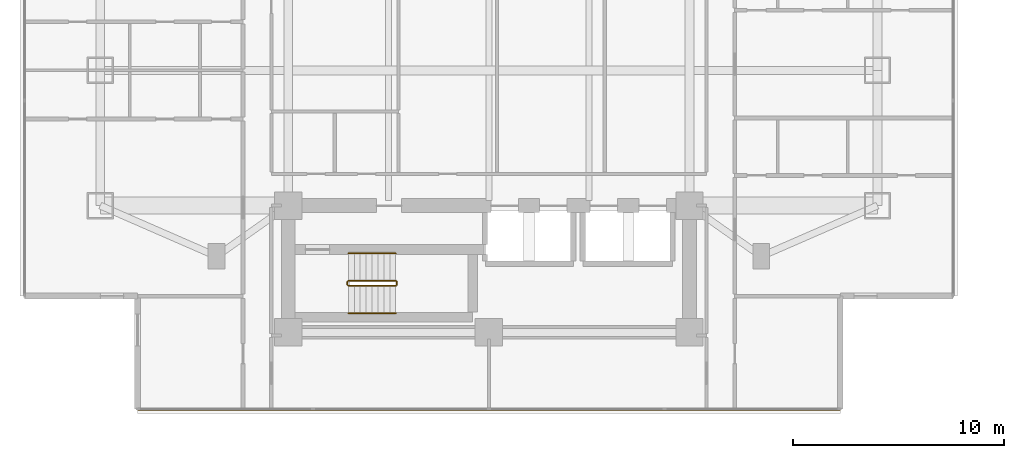
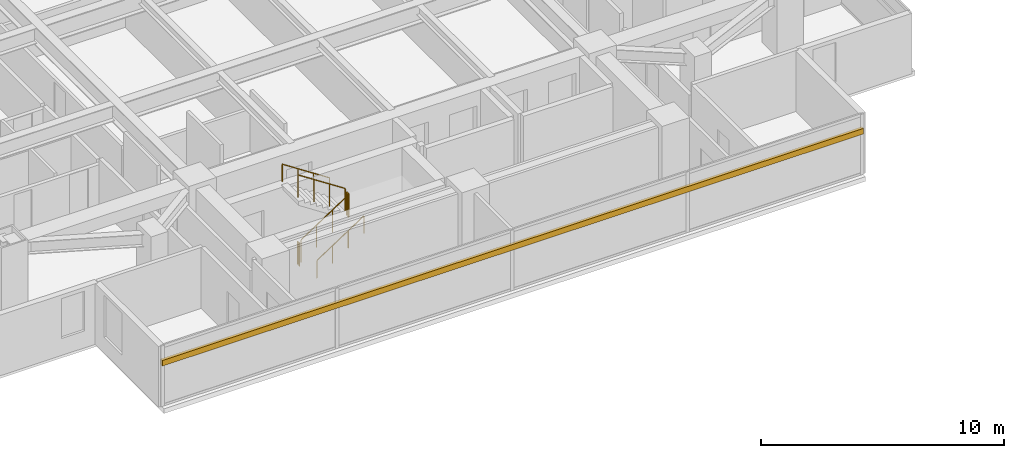
# One storey, part 20 of 24: 6 railings, 1 shading device.
"""IFC4 building model written with IfcOpenShell, lengths in metres."""

from ifc_helpers import new_model, si_unit, direction, frame, origin, origin_2d, place, context, subcontext, project, spatial, rectangle, circle, extrude, material, material_profile, profile_set, type_object, element, save


model = new_model("IFC4")

# Units and contexts
model_context = context("Model", 3, precision=1e-05, world=origin(), true_north=direction((0.0, 1.0)))
body_context = subcontext(model_context, "Body", "Model", "MODEL_VIEW")
ifc_project = project(units=[si_unit("LENGTHUNIT", "METRE"), si_unit("AREAUNIT", "SQUARE_METRE"), si_unit("VOLUMEUNIT", "CUBIC_METRE"), si_unit("PLANEANGLEUNIT", "RADIAN"), si_unit("MASSUNIT", "GRAM", prefix="KILO")], contexts=[model_context])

# Site, building, storey
site_placement = place(None, origin())
site = spatial("IfcSite", under=ifc_project, at=site_placement, CompositionType="ELEMENT")
building_placement = place(site_placement, origin())
building = spatial("IfcBuilding", under=site, at=building_placement, Name="Mirazonda Arch Towers", CompositionType="ELEMENT")
storey_placement = place(building_placement, frame((0.0, 0.0, 68.60009765625)))
storey = spatial("IfcBuildingStorey", under=building, at=storey_placement, Name="L19", CompositionType="ELEMENT", Elevation=68.60009765625)

# Shading device
ifc_material_1 = material(Name="Kiln-Fired Architectural Terracotta", Category="masonry")
ifc_material_profile = material_profile(ifc_material_1, rectangle(XDim=0.139892578125, YDim=0.280029296875, at=origin_2d()), Name="TERRA-BAG-140x280")
ifc_profile_set = profile_set([ifc_material_profile], Name="Kiln-Fired Architectural Terracotta")
shading_device_type = type_object("IfcShadingDeviceType", Name="BAGUETTE-3", PredefinedType="USERDEFINED", material=ifc_profile_set)
shading_device_placement = place(storey_placement, frame((37.139892578125, 8.77001953125, 2.188720703125), z_axis=(-1.0, 0.0, 0.0), x_axis=(0.0, -1.0, 0.0)))
element("IfcShadingDevice", 1, at=shading_device_placement, inside=storey, type_object=shading_device_type, Name="L19 Glazed Terracotta Sun-Screen Baguette CW-L19-T1-S", ObjectType="BAGUETTE", PredefinedType="USERDEFINED", context=body_context, shape_type="SweptSolid", body=[
    extrude(rectangle(XDim=0.139892578125, YDim=0.280029296875, at=origin_2d()), origin(), (0.0, 0.0, 1.0), 33.27978515625),
])

# Railings
ifc_material_2 = material(Name="Architectural Brushed Steel S355", Category="steel")
railing_type_1 = type_object("IfcRailingType", Name="GUARD-STAIR-1120", PredefinedType="GUARDRAIL", material=ifc_material_2)
railing_1_placement = place(storey_placement, frame((13.85009765625, 14.60009765625, 0.183349609375)))
element("IfcRailing", 2, at=railing_1_placement, inside=storey, type_object=railing_type_1, Name="L19 ST-T1S stair guard 1", PredefinedType="GUARDRAIL", context=body_context, shape_type="SweptSolid", body=[
    extrude(circle(Radius=0.02392578125, at=origin_2d()), frame((0.0, 0.0, 1.1259765625), z_axis=(0.836636935527, 0.0, 0.547757827979), x_axis=(0.0, 1.0, 0.0)), (0.0, 0.0, 1.0), 2.677490234375),
    extrude(circle(Radius=0.02099609375, at=origin_2d()), origin(), (0.0, 0.0, 1.0), 1.101806640625),
    extrude(circle(Radius=0.02099609375, at=origin_2d()), frame((0.74658203125, 0.0, 0.48876953125)), (0.0, 0.0, 1.0), 1.101806640625),
    extrude(circle(Radius=0.02099609375, at=origin_2d()), frame((1.493408203125, 0.0, 0.977783203125)), (0.0, 0.0, 1.0), 1.101806640625),
    extrude(circle(Radius=0.02099609375, at=origin_2d()), frame((2.239990234375, 0.0, 1.466552734375)), (0.0, 0.0, 1.0), 1.101806640625),
])
railing_2_placement = place(storey_placement, frame((16.139892578125, 14.64990234375, 1.64990234375)))
element("IfcRailing", 3, at=railing_2_placement, inside=storey, type_object=railing_type_1, Name="L19 ST-T1S stair guard 2", PredefinedType="GUARDRAIL", context=body_context, shape_type="SweptSolid", body=[
    extrude(circle(Radius=0.02392578125, at=origin_2d()), frame((0.0, 0.0, 1.1259765625), z_axis=(0.0, 1.0, 0.0), x_axis=(-1.0, 0.0, 0.0)), (0.0, 0.0, 1.0), 0.14013671875),
    extrude(circle(Radius=0.02099609375, at=origin_2d()), origin(), (0.0, 0.0, 1.0), 1.101806640625),
    extrude(circle(Radius=0.02099609375, at=origin_2d()), frame((0.0, 0.14013671875, 0.0)), (0.0, 0.0, 1.0), 1.101806640625),
])
railing_3_placement = place(storey_placement, frame((16.090087890625, 14.840087890625, 1.833251953125)))
element("IfcRailing", 4, at=railing_3_placement, inside=storey, type_object=railing_type_1, Name="L19 ST-T1S stair guard 3", PredefinedType="GUARDRAIL", context=body_context, shape_type="SweptSolid", body=[
    extrude(circle(Radius=0.02392578125, at=origin_2d()), frame((0.0, 0.0, 1.1259765625), z_axis=(-0.836636935527, 0.0, 0.547757827979), x_axis=(0.0, -1.0, 0.0)), (0.0, 0.0, 1.0), 2.677490234375),
    extrude(circle(Radius=0.02099609375, at=origin_2d()), origin(), (0.0, 0.0, 1.0), 1.101806640625),
    extrude(circle(Radius=0.02099609375, at=origin_2d()), frame((-0.74658203125, 0.0, 0.48876953125)), (0.0, 0.0, 1.0), 1.101806640625),
    extrude(circle(Radius=0.02099609375, at=origin_2d()), frame((-1.493408203125, 0.0, 0.977783203125)), (0.0, 0.0, 1.0), 1.101806640625),
    extrude(circle(Radius=0.02099609375, at=origin_2d()), frame((-2.239990234375, 0.0, 1.466552734375)), (0.0, 0.0, 1.0), 1.101806640625),
])
railing_4_placement = place(storey_placement, frame((13.800048828125, 14.64990234375, 0.0)))
element("IfcRailing", 5, at=railing_4_placement, inside=storey, type_object=railing_type_1, Name="L19 ST-T1S stair guard 4", PredefinedType="GUARDRAIL", context=body_context, shape_type="SweptSolid", body=[
    extrude(circle(Radius=0.02392578125, at=origin_2d()), frame((0.0, 0.0, 1.1259765625), z_axis=(0.0, 1.0, 0.0), x_axis=(-1.0, 0.0, 0.0)), (0.0, 0.0, 1.0), 0.14013671875),
    extrude(circle(Radius=0.02099609375, at=origin_2d()), origin(), (0.0, 0.0, 1.0), 1.101806640625),
    extrude(circle(Radius=0.02099609375, at=origin_2d()), frame((0.0, 0.14013671875, 0.0)), (0.0, 0.0, 1.0), 1.101806640625),
])
railing_type_2 = type_object("IfcRailingType", Name="HANDRAIL-915", PredefinedType="HANDRAIL", material=ifc_material_2)
railing_5_placement = place(storey_placement, frame((13.85009765625, 13.300048828125, 0.183349609375)))
element("IfcRailing", 6, at=railing_5_placement, inside=storey, type_object=railing_type_2, Name="L19 ST-T1S stair handrail 1", PredefinedType="HANDRAIL", context=body_context, shape_type="SweptSolid", body=[
    extrude(circle(Radius=0.02392578125, at=origin_2d()), frame((0.0, 0.0, 0.8759765625), z_axis=(0.836636935527, 0.0, 0.547757827979), x_axis=(0.0, 1.0, 0.0)), (0.0, 0.0, 1.0), 2.677490234375),
    extrude(circle(Radius=0.02099609375, at=origin_2d()), origin(), (0.0, 0.0, 1.0), 0.851806640625),
    extrude(circle(Radius=0.02099609375, at=origin_2d()), frame((0.74658203125, 0.0, 0.48876953125)), (0.0, 0.0, 1.0), 0.851806640625),
    extrude(circle(Radius=0.02099609375, at=origin_2d()), frame((1.493408203125, 0.0, 0.977783203125)), (0.0, 0.0, 1.0), 0.851806640625),
    extrude(circle(Radius=0.02099609375, at=origin_2d()), frame((2.239990234375, 0.0, 1.466552734375)), (0.0, 0.0, 1.0), 0.851806640625),
])
railing_6_placement = place(storey_placement, frame((16.090087890625, 16.139892578125, 1.833251953125)))
element("IfcRailing", 7, at=railing_6_placement, inside=storey, type_object=railing_type_2, Name="L19 ST-T1S stair handrail 2", PredefinedType="HANDRAIL", context=body_context, shape_type="SweptSolid", body=[
    extrude(circle(Radius=0.02392578125, at=origin_2d()), frame((0.0, 0.0, 0.8759765625), z_axis=(-0.836636935527, 0.0, 0.547757827979), x_axis=(0.0, -1.0, 0.0)), (0.0, 0.0, 1.0), 2.677490234375),
    extrude(circle(Radius=0.02099609375, at=origin_2d()), origin(), (0.0, 0.0, 1.0), 0.851806640625),
    extrude(circle(Radius=0.02099609375, at=origin_2d()), frame((-0.74658203125, 0.0, 0.48876953125)), (0.0, 0.0, 1.0), 0.851806640625),
    extrude(circle(Radius=0.02099609375, at=origin_2d()), frame((-1.493408203125, 0.0, 0.977783203125)), (0.0, 0.0, 1.0), 0.851806640625),
    extrude(circle(Radius=0.02099609375, at=origin_2d()), frame((-2.239990234375, 0.0, 1.466552734375)), (0.0, 0.0, 1.0), 0.851806640625),
])

save(model, "model.ifc")
